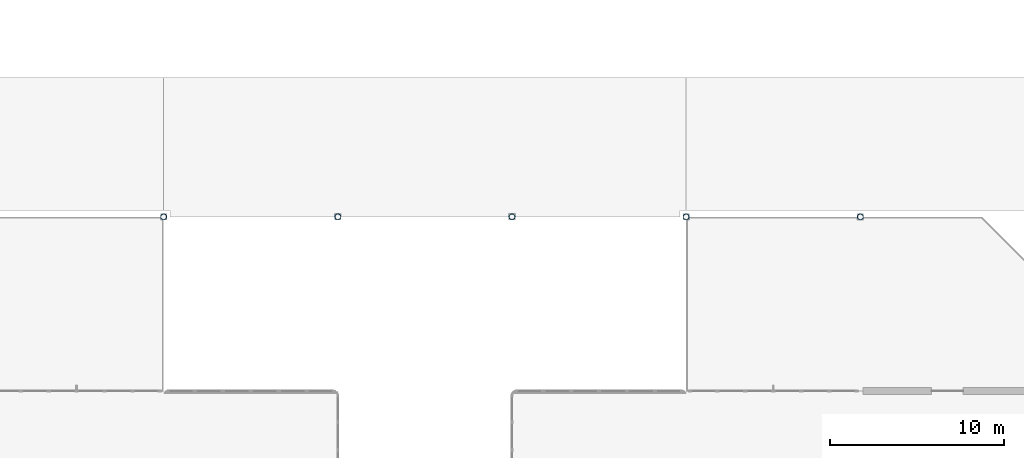
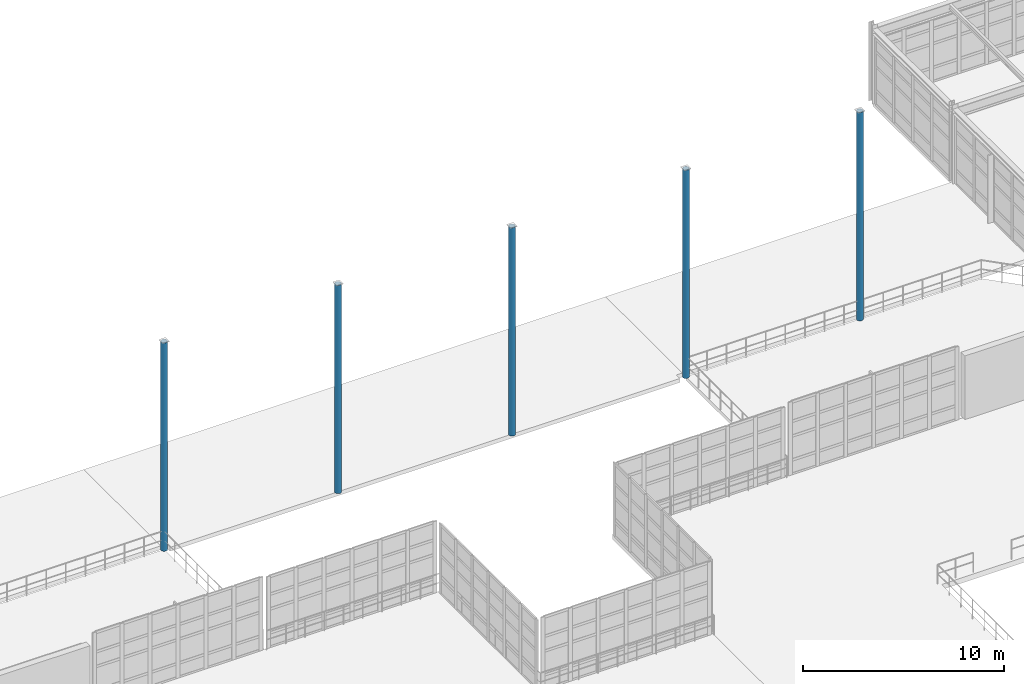
# One storey, part 15 of 139: 5 columns.
"""IFC4 building model written with IfcOpenShell, lengths in metres."""

from ifc_helpers import new_model, si_unit, direction, frame, origin, origin_2d, place, context, subcontext, project, spatial, hollow_circle, extrude, material, material_profile, profile_set, type_object, element, save


model = new_model("IFC4")

# Units and contexts
model_context = context("Model", 3, precision=1e-05, world=origin(), true_north=direction((0.0, 1.0)))
body_context = subcontext(model_context, "Body", "Model", "MODEL_VIEW")
ifc_project = project(units=[si_unit("LENGTHUNIT", "METRE"), si_unit("AREAUNIT", "SQUARE_METRE"), si_unit("VOLUMEUNIT", "CUBIC_METRE"), si_unit("PLANEANGLEUNIT", "RADIAN"), si_unit("MASSUNIT", "GRAM", prefix="KILO"), si_unit("THERMODYNAMICTEMPERATUREUNIT", "KELVIN"), si_unit("POWERUNIT", "WATT")], contexts=[model_context])

# Site, building, storey
site_placement = place(None, origin())
site = spatial("IfcSite", under=ifc_project, at=site_placement, CompositionType="ELEMENT")
building_placement = place(site_placement, origin())
building = spatial("IfcBuilding", under=site, at=building_placement, Name="Korenveer Ferry Terminal", CompositionType="ELEMENT")
storey_placement = place(building_placement, frame((0.0, 0.0, 5.39990234375)))
storey = spatial("IfcBuildingStorey", under=building, at=storey_placement, Name="L01", CompositionType="ELEMENT", Elevation=5.39990234375)

# Columns
ifc_material = material(Name="Steel S355", Category="steel")
ifc_material_profile = material_profile(ifc_material, hollow_circle(Radius=0.177734375, WallThickness=0.01611328125, at=origin_2d()), Name="CHS 355.6x16")
ifc_profile_set = profile_set([ifc_material_profile], Name="Steel S355")
column_type = type_object("IfcColumnType", Name="STR-COL-CHS355", PredefinedType="COLUMN", material=ifc_profile_set)
for number, where, z_axis, x_axis, name in (
    (1, (73.0, 100.0, 0.002197265625), (0.0, 0.0, 1.0), (1.0, 0.0, 0.0), "Folded roof valley support column RCOL-X73-Y100"),
    (2, (83.0, 100.0, 0.002197265625), (0.0, 0.0, 1.0), (1.0, 0.0, 0.0), "Folded roof valley support column RCOL-X83-Y100"),
    (3, (93.0, 100.0, 0.002197265625), (0.0, 0.0, 1.0), (1.0, 0.0, 0.0), "Folded roof valley support column RCOL-X93-Y100"),
    (4, (103.0, 100.0, 0.002197265625), (0.0, 0.0, 1.0), (1.0, 0.0, 0.0), "Folded roof valley support column RCOL-X103-Y100"),
    (5, (113.0, 100.0, 0.002197265625), (0.0, 0.0, 1.0), (1.0, 0.0, 0.0), "Folded roof valley support column RCOL-X113-Y100"),
):
    element("IfcColumn", number, at=place(storey_placement, frame(where, z_axis=z_axis, x_axis=x_axis)), inside=storey, type_object=column_type, Name=name, PredefinedType="COLUMN", context=body_context, shape_type="SweptSolid", body=[
        extrude(hollow_circle(Radius=0.177734375, WallThickness=0.01611328125, at=origin_2d()), origin(), (0.0, 0.0, 1.0), 12.66015625),
    ])

save(model, "model.ifc")
